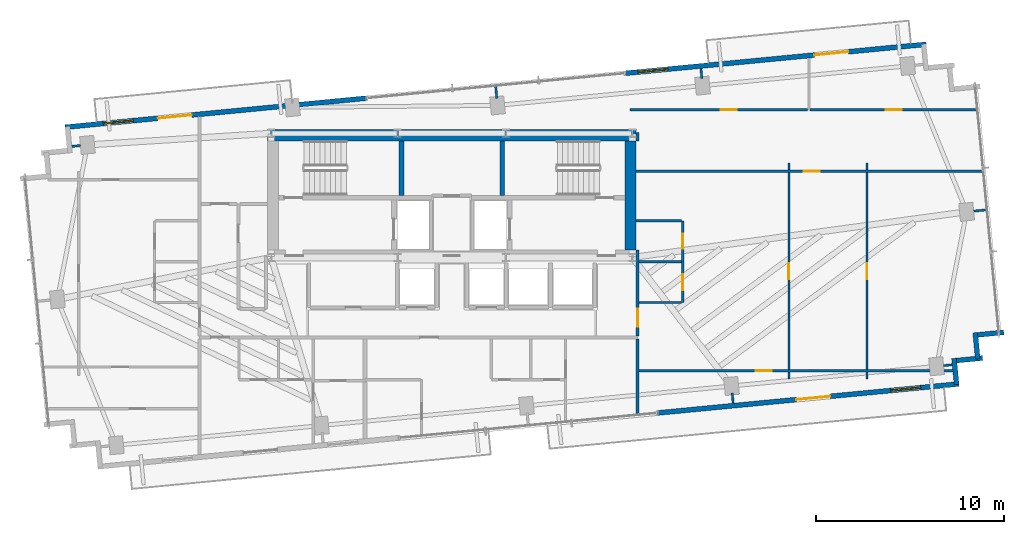
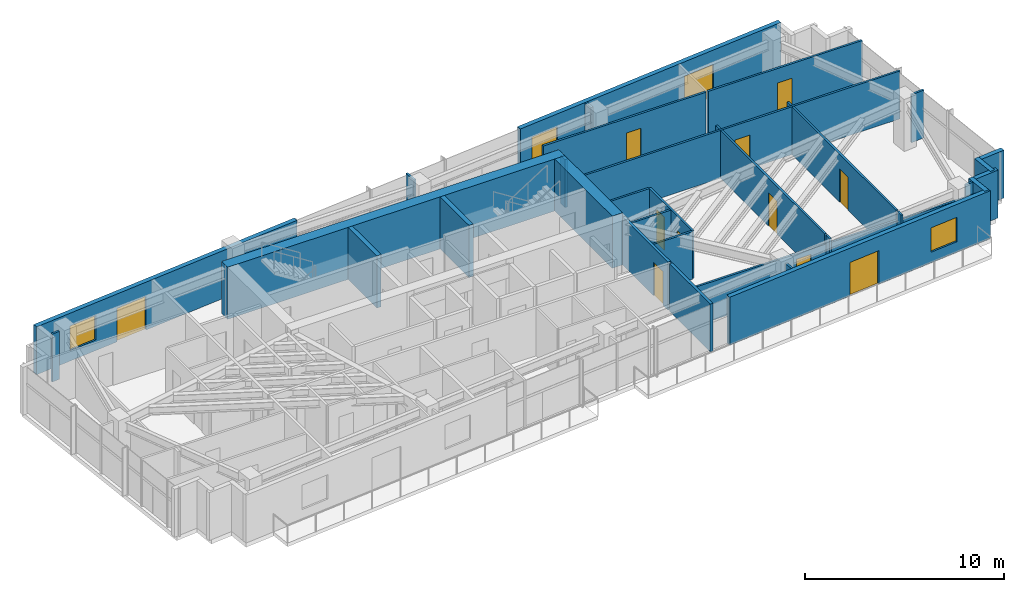
# One storey, part 15 of 18: 34 walls, 12 doors, 3 windows, 15 openings.
"""IFC4 building model written with IfcOpenShell, lengths in metres."""

from ifc_helpers import new_model, si_unit, direction, frame, frame_2d, origin, place, context, subcontext, project, spatial, rectangle, extrude, source, transform, mapped, material, layer, layer_set, type_object, type_shapes, element, fill, save


model = new_model("IFC4")

# Units and contexts
model_context = context("Model", 3, precision=1e-05, world=origin(), true_north=direction((0.0, 1.0)))
body_context = subcontext(model_context, "Body", "Model", "MODEL_VIEW")
ifc_project = project(units=[si_unit("LENGTHUNIT", "METRE"), si_unit("AREAUNIT", "SQUARE_METRE"), si_unit("VOLUMEUNIT", "CUBIC_METRE"), si_unit("PLANEANGLEUNIT", "RADIAN"), si_unit("MASSUNIT", "GRAM", prefix="KILO")], contexts=[model_context])

# Site, building, storey
site_placement = place(None, origin())
site = spatial("IfcSite", under=ifc_project, at=site_placement, CompositionType="ELEMENT")
building_placement = place(site_placement, origin())
building = spatial("IfcBuilding", under=site, at=building_placement, Name="Astriad Promenade Condominiums", CompositionType="ELEMENT")
storey_placement = place(building_placement, frame((0.0, 0.0, 176.199951171875)))
storey = spatial("IfcBuildingStorey", under=building, at=storey_placement, Name="L50", CompositionType="ELEMENT", Elevation=176.199951171875)

# Walls
ifc_material_1 = material(Name="Concrete C50/60", Category="concrete")
ifc_layer_1 = layer(ifc_material_1, 0.60009765625)
ifc_layer_set_1 = layer_set([ifc_layer_1], Name="Concrete C50/60")
wall_type_1 = type_object("IfcWallType", Name="CW-SHEAR-600", PredefinedType="SHEAR", material=ifc_layer_set_1)
wall_1_placement = place(storey_placement, frame((26.199951171875, 23.89990234375, 0.0), z_axis=(0.0, 0.0, 1.0), x_axis=(1.0, 0.0, 0.0)))
element("IfcWall", 1, at=wall_1_placement, inside=storey, type_object=wall_type_1, Name="CW-CORE-N-L50", PredefinedType="SHEAR", context=body_context, shape_type="SweptSolid", body=[
    extrude(rectangle(XDim=19.60009765625, YDim=0.60009765625, at=frame_2d((9.800048828125, 0.0))), origin(), (0.0, 0.0, 1.0), 3.199951171875),
])
wall_2_placement = place(storey_placement, frame((45.5, 17.802001953125, 0.0), z_axis=(0.0, 0.0, 1.0), x_axis=(0.0, 1.0, 0.0)))
element("IfcWall", 2, at=wall_2_placement, inside=storey, type_object=wall_type_1, Name="CW-CORE-E-L50", PredefinedType="SHEAR", context=body_context, shape_type="SweptSolid", body=[
    extrude(rectangle(XDim=5.7958984375, YDim=0.60009765625, at=frame_2d((2.89794921875, 0.0))), origin(), (0.0, 0.0, 1.0), 3.199951171875),
])
ifc_layer_2 = layer(ifc_material_1, 0.25)
ifc_layer_set_2 = layer_set([ifc_layer_2], Name="Concrete C50/60")
wall_type_2 = type_object("IfcWallType", Name="WALL-CORE-INT-250", PredefinedType="SOLIDWALL", material=ifc_layer_set_2)
for number, where, z_axis, x_axis, name in (
    (3, (33.324951171875, 20.701904296875, 0.0), (0.0, 0.0, 1.0), (0.0, 1.0, 0.0), "CW-ST1-E-L50"),
    (4, (38.675048828125, 20.701904296875, 0.0), (0.0, 0.0, 1.0), (0.0, 1.0, 0.0), "CW-ST2-W-L50"),
):
    element("IfcWall", number, at=place(storey_placement, frame(where, z_axis=z_axis, x_axis=x_axis)), inside=storey, type_object=wall_type_2, Name=name, PredefinedType="SOLIDWALL", context=body_context, shape_type="SweptSolid", body=[
        extrude(rectangle(XDim=2.89599609375, YDim=0.25, at=frame_2d((1.447998046875, 0.0))), origin(), (0.0, 0.0, 1.0), 3.199951171875),
    ])
ifc_material_2 = material(Name="Fire-Rated Gypsum Partition")
ifc_layer_3 = layer(ifc_material_2, 0.159912109375)
ifc_layer_set_3 = layer_set([ifc_layer_3], Name="Fire-Rated Gypsum Partition")
wall_type_3 = type_object("IfcWallType", Name="WALL-CORR-160", PredefinedType="PARTITIONING", material=ifc_layer_set_3)
wall_3_placement = place(storey_placement, frame((45.8798828125, 8.98095703125, 0.0), z_axis=(0.0, 0.0, 1.0), x_axis=(0.0, 1.0, 0.0)))
element("IfcWall", 5, at=wall_3_placement, inside=storey, type_object=wall_type_3, Name="PT-COR-E-L50", PredefinedType="PARTITIONING", context=body_context, shape_type="SweptSolid", body=[
    extrude(rectangle(XDim=4.087158203125, YDim=0.159912109375, at=frame_2d((2.04345703125, 0.0))), origin(), (0.0, 0.0, 1.0), 2.93994140625),
])

# Wall, opening, door
wall_4_placement = place(storey_placement, frame((45.8798828125, 13.23193359375, 0.0), z_axis=(0.0, 0.0, 1.0), x_axis=(0.0, 1.0, 0.0)))
wall_4 = element("IfcWall", 6, at=wall_4_placement, inside=storey, type_object=wall_type_3, Name="PT-COR-E-L50-S2", PredefinedType="PARTITIONING", context=body_context, shape_type="SweptSolid", body=[
    extrude(rectangle(XDim=4.570068359375, YDim=0.159912109375, at=frame_2d((2.28515625, 0.0))), origin(), (0.0, 0.0, 1.0), 2.93994140625),
])
opening_1_placement = place(wall_4_placement, frame((0.492919921875, 0.0, 0.0)))
opening_1 = element("IfcOpeningElement", 7, at=opening_1_placement, cuts=wall_4, Name="Opening FD60-APT-095", PredefinedType="OPENING", context=body_context, shape_type="SweptSolid", body=[
    extrude(rectangle(XDim=0.949951171875, YDim=2.06005859375, at=frame_2d((0.47509765625, 1.030029296875))), frame((0.0, 0.08984375, 0.0), z_axis=(0.0, -1.0, 0.0), x_axis=(1.0, 0.0, 0.0)), (0.0, 0.0, 1.0), 0.179931640625),
])
ifc_material_3 = material(Name="Solid-Core Acoustic Timber Residence Entry Door", Category="wood")
door_type_1 = type_object("IfcDoorType", Name="FD60-APT-095", OperationType="NOTDEFINED", PredefinedType="DOOR", material=ifc_material_3)
shared_shape_1 = source(origin(), body_context, "Body", "SweptSolid", [
    extrude(rectangle(XDim=0.949951171875, YDim=2.06005859375, at=frame_2d((0.47509765625, 1.030029296875))), frame((0.0, 0.02490234375, 0.0), z_axis=(0.0, -1.0, 0.0), x_axis=(1.0, 0.0, 0.0)), (0.0, 0.0, 1.0), 0.050048828125),
])
type_shapes(door_type_1, [shared_shape_1])
door_1_placement = place(opening_1_placement, origin())
door_1 = element("IfcDoor", 8, at=door_1_placement, inside=storey, type_object=door_type_1, Name="D-ENT-L50-E1", OperationType="SINGLE_SWING_RIGHT", OverallHeight=2.06005859375, OverallWidth=0.949951171875, PredefinedType="DOOR", context=body_context, shape_type="MappedRepresentation", body=[
    mapped(shared_shape_1, transform((0.0, 0.0, 0.0), scale=1.0)),
])
fill(opening_1, door_1)

# Wall
wall_5_placement = place(storey_placement, frame((45.8798828125, 23.597900390625, 0.0), z_axis=(0.0, 0.0, 1.0), x_axis=(0.0, 1.0, 0.0)))
element("IfcWall", 9, at=wall_5_placement, inside=storey, type_object=wall_type_3, Name="PT-COR-E-L50-S3", PredefinedType="PARTITIONING", context=body_context, shape_type="SweptSolid", body=[
    extrude(rectangle(XDim=0.4521484375, YDim=0.159912109375, at=frame_2d((0.22607421875, 0.0))), origin(), (0.0, 0.0, 1.0), 2.93994140625),
])

# Wall, openings, door, window
ifc_material_4 = material(Name="Precast concrete C50/60", Category="concrete")
ifc_layer_4 = layer(ifc_material_4, 0.260009765625)
ifc_layer_set_4 = layer_set([ifc_layer_4], Name="Precast concrete C50/60")
wall_type_4 = type_object("IfcWallType", Name="WALL-EXT-TWR-260", PredefinedType="STANDARD", material=ifc_layer_set_4)
wall_6_placement = place(storey_placement, frame((15.4365234375, 24.32373046875, 0.0), z_axis=(0.0, 0.0, 1.0), x_axis=(0.995395627913, 0.095851676732, 0.0)))
wall_6 = element("IfcWall", 10, at=wall_6_placement, inside=storey, type_object=wall_type_4, Name="W-EXT-L50-N1", PredefinedType="STANDARD", context=body_context, shape_type="SweptSolid", body=[
    extrude(rectangle(XDim=16.10009765625, YDim=0.260009765625, at=frame_2d((8.050048828125, 0.0))), origin(), (0.0, 0.0, 1.0), 2.93994140625),
])
opening_2_placement = place(wall_6_placement, frame((4.969970703125, 0.0, 0.0)))
opening_2 = element("IfcOpeningElement", 11, at=opening_2_placement, cuts=wall_6, Name="Opening BD-1822-SLD", PredefinedType="OPENING", context=body_context, shape_type="SweptSolid", body=[
    extrude(rectangle(XDim=1.800048828125, YDim=2.06005859375, at=frame_2d((0.89990234375, 1.030029296875))), frame((0.0, 0.139892578125, 0.0), z_axis=(0.0, -1.0, 0.0), x_axis=(1.0, 0.0, 0.0)), (0.0, 0.0, 1.0), 0.280029296875),
])
opening_3_placement = place(wall_6_placement, frame((2.050048828125, 0.0, 0.64990234375)))
opening_3 = element("IfcOpeningElement", 12, at=opening_3_placement, cuts=wall_6, Name="Opening WIN-TWR-1620", PredefinedType="OPENING", context=body_context, shape_type="SweptSolid", body=[
    extrude(rectangle(XDim=1.60009765625, YDim=1.5, at=frame_2d((0.800048828125, 0.75))), frame((0.0, 0.139892578125, 0.0), z_axis=(0.0, -1.0, 0.0), x_axis=(1.0, 0.0, 0.0)), (0.0, 0.0, 1.0), 0.280029296875),
])
ifc_material_5 = material(Name="Thermally Broken Aluminium Sliding Balcony Door", Category="aluminium")
door_type_2 = type_object("IfcDoorType", Name="BD-1822-SLD", OperationType="NOTDEFINED", PredefinedType="DOOR", material=ifc_material_5)
shared_shape_2 = source(origin(), body_context, "Body", "SweptSolid", [
    extrude(rectangle(XDim=1.800048828125, YDim=2.06005859375, at=frame_2d((0.89990234375, 1.030029296875))), frame((0.0, 0.02490234375, 0.0), z_axis=(0.0, -1.0, 0.0), x_axis=(1.0, 0.0, 0.0)), (0.0, 0.0, 1.0), 0.050048828125),
])
type_shapes(door_type_2, [shared_shape_2])
door_2_placement = place(opening_2_placement, origin())
door_2 = element("IfcDoor", 13, at=door_2_placement, inside=storey, type_object=door_type_2, Name="BD-L50-NW", OperationType="SLIDING_TO_LEFT", OverallHeight=2.06005859375, OverallWidth=1.800048828125, PredefinedType="DOOR", context=body_context, shape_type="MappedRepresentation", body=[
    mapped(shared_shape_2, transform((0.0, 0.0, 0.0), scale=1.0)),
])
fill(opening_2, door_2)
ifc_material_6 = material(Name="Dark Tinted Triple-Glazed Aluminium Window", Category="aluminium")
window_type = type_object("IfcWindowType", Name="WIN-TWR-1620", PartitioningType="SINGLE_PANEL", PredefinedType="WINDOW", material=ifc_material_6)
shared_shape_3 = source(origin(), body_context, "Body", "SweptSolid", [
    extrude(rectangle(XDim=1.60009765625, YDim=1.5, at=frame_2d((0.800048828125, 0.75))), frame((0.0, 0.030029296875, 0.0), z_axis=(0.0, -1.0, 0.0), x_axis=(1.0, 0.0, 0.0)), (0.0, 0.0, 1.0), 0.06005859375),
])
type_shapes(window_type, [shared_shape_3])
window_1_placement = place(opening_3_placement, origin())
window_1 = element("IfcWindow", 14, at=window_1_placement, inside=storey, type_object=window_type, Name="WIN-L50-NW", OverallHeight=1.5, OverallWidth=1.60009765625, PartitioningType="SINGLE_PANEL", PredefinedType="WINDOW", context=body_context, shape_type="MappedRepresentation", body=[
    mapped(shared_shape_3, transform((0.0, 0.0, 0.0), scale=1.0)),
])
fill(opening_3, window_1)

wall_7_placement = place(storey_placement, frame((45.198974609375, 27.189697265625, 0.0), z_axis=(0.0, 0.0, 1.0), x_axis=(0.995397074604, 0.095836652014, 0.0)))
wall_7 = element("IfcWall", 15, at=wall_7_placement, inside=storey, type_object=wall_type_4, Name="W-EXT-L50-N2", PredefinedType="STANDARD", context=body_context, shape_type="SweptSolid", body=[
    extrude(rectangle(XDim=16.10009765625, YDim=0.260009765625, at=frame_2d((8.050048828125, 0.0))), origin(), (0.0, 0.0, 1.0), 2.93994140625),
])
opening_4_placement = place(wall_7_placement, frame((10.1298828125, 0.0, 0.0)))
opening_4 = element("IfcOpeningElement", 16, at=opening_4_placement, cuts=wall_7, Name="Opening BD-1822-SLD", PredefinedType="OPENING", context=body_context, shape_type="SweptSolid", body=[
    extrude(rectangle(XDim=1.800048828125, YDim=2.06005859375, at=frame_2d((0.89990234375, 1.030029296875))), frame((0.0, 0.139892578125, 0.0), z_axis=(0.0, -1.0, 0.0), x_axis=(1.0, 0.0, 0.0)), (0.0, 0.0, 1.0), 0.280029296875),
])
opening_5_placement = place(wall_7_placement, frame((0.699951171875, 0.0, 0.64990234375)))
opening_5 = element("IfcOpeningElement", 17, at=opening_5_placement, cuts=wall_7, Name="Opening WIN-TWR-1620", PredefinedType="OPENING", context=body_context, shape_type="SweptSolid", body=[
    extrude(rectangle(XDim=1.60009765625, YDim=1.5, at=frame_2d((0.800048828125, 0.75))), frame((0.0, 0.139892578125, 0.0), z_axis=(0.0, -1.0, 0.0), x_axis=(1.0, 0.0, 0.0)), (0.0, 0.0, 1.0), 0.280029296875),
])
door_3_placement = place(opening_4_placement, origin())
door_3 = element("IfcDoor", 18, at=door_3_placement, inside=storey, type_object=door_type_2, Name="BD-L50-NE", OperationType="SLIDING_TO_RIGHT", OverallHeight=2.06005859375, OverallWidth=1.800048828125, PredefinedType="DOOR", context=body_context, shape_type="MappedRepresentation", body=[
    mapped(shared_shape_2, transform((0.0, 0.0, 0.0), scale=1.0)),
])
fill(opening_4, door_3)
window_2_placement = place(opening_5_placement, origin())
window_2 = element("IfcWindow", 19, at=window_2_placement, inside=storey, type_object=window_type, Name="WIN-L50-NE", OverallHeight=1.5, OverallWidth=1.60009765625, PartitioningType="SINGLE_PANEL", PredefinedType="WINDOW", context=body_context, shape_type="MappedRepresentation", body=[
    mapped(shared_shape_3, transform((0.0, 0.0, 0.0), scale=1.0)),
])
fill(opening_5, window_2)

# Walls
wall_8_placement = place(storey_placement, frame((65.341796875, 13.416748046875, 0.0), z_axis=(0.0, 0.0, 1.0), x_axis=(-0.99540774648, -0.095725744959, 0.0)))
element("IfcWall", 20, at=wall_8_placement, inside=storey, type_object=wall_type_4, Name="W-SER-L50-14", PredefinedType="STANDARD", context=body_context, shape_type="SweptSolid", body=[
    extrude(rectangle(XDim=1.39501953125, YDim=0.260009765625, at=frame_2d((0.697509765625, 0.0))), origin(), (0.0, 0.0, 1.0), 2.93994140625),
])
wall_9_placement = place(storey_placement, frame((63.826171875, 13.4013671875, 0.0), z_axis=(0.0, 0.0, 1.0), x_axis=(0.095915846097, -0.995389446633, 0.0)))
element("IfcWall", 21, at=wall_9_placement, inside=storey, type_object=wall_type_4, Name="W-SER-L50-15", PredefinedType="STANDARD", context=body_context, shape_type="SweptSolid", body=[
    extrude(rectangle(XDim=1.394775390625, YDim=0.260009765625, at=frame_2d((0.697265625, 0.0))), origin(), (0.0, 0.0, 1.0), 2.93994140625),
])
for number, where, z_axis, x_axis, name in (
    (22, (64.21728515625, 12.052734375, 0.0), (0.0, 0.0, 1.0), (-0.99540774648, -0.095725744959, 0.0), "W-SER-L50-16"),
    (23, (62.701904296875, 12.037353515625, 0.0), (0.0, 0.0, 1.0), (0.095725744959, -0.99540774648, 0.0), "W-SER-L50-17"),
):
    element("IfcWall", number, at=place(storey_placement, frame(where, z_axis=z_axis, x_axis=x_axis)), inside=storey, type_object=wall_type_4, Name=name, PredefinedType="STANDARD", context=body_context, shape_type="SweptSolid", body=[
        extrude(rectangle(XDim=1.39501953125, YDim=0.260009765625, at=frame_2d((0.697509765625, 0.0))), origin(), (0.0, 0.0, 1.0), 2.93994140625),
    ])

# Wall, openings, door, window
wall_10_placement = place(storey_placement, frame((62.96337890625, 10.67626953125, 0.0), z_axis=(0.0, 0.0, 1.0), x_axis=(-0.995395627913, -0.095851676732, 0.0)))
wall_10 = element("IfcWall", 24, at=wall_10_placement, inside=storey, type_object=wall_type_4, Name="W-EXT-L50-S1", PredefinedType="STANDARD", context=body_context, shape_type="SweptSolid", body=[
    extrude(rectangle(XDim=16.10009765625, YDim=0.260009765625, at=frame_2d((8.050048828125, 0.0))), origin(), (0.0, 0.0, 1.0), 2.93994140625),
])
opening_6_placement = place(wall_10_placement, frame((6.883056640625, 0.0, 0.0)))
opening_6 = element("IfcOpeningElement", 25, at=opening_6_placement, cuts=wall_10, Name="Opening BD-1822-SLD", PredefinedType="OPENING", context=body_context, shape_type="SweptSolid", body=[
    extrude(rectangle(XDim=1.800048828125, YDim=2.06005859375, at=frame_2d((0.89990234375, 1.030029296875))), frame((0.0, 0.139892578125, 0.0), z_axis=(0.0, -1.0, 0.0), x_axis=(1.0, 0.0, 0.0)), (0.0, 0.0, 1.0), 0.280029296875),
])
opening_7_placement = place(wall_10_placement, frame((2.050048828125, 0.0, 0.64990234375)))
opening_7 = element("IfcOpeningElement", 26, at=opening_7_placement, cuts=wall_10, Name="Opening WIN-TWR-1620", PredefinedType="OPENING", context=body_context, shape_type="SweptSolid", body=[
    extrude(rectangle(XDim=1.60009765625, YDim=1.5, at=frame_2d((0.800048828125, 0.75))), frame((0.0, 0.139892578125, 0.0), z_axis=(0.0, -1.0, 0.0), x_axis=(1.0, 0.0, 0.0)), (0.0, 0.0, 1.0), 0.280029296875),
])
door_4_placement = place(opening_6_placement, origin())
door_4 = element("IfcDoor", 27, at=door_4_placement, inside=storey, type_object=door_type_2, Name="BD-L50-SE", OperationType="SLIDING_TO_RIGHT", OverallHeight=2.06005859375, OverallWidth=1.800048828125, PredefinedType="DOOR", context=body_context, shape_type="MappedRepresentation", body=[
    mapped(shared_shape_2, transform((0.0, 0.0, 0.0), scale=1.0)),
])
fill(opening_6, door_4)
window_3_placement = place(opening_7_placement, origin())
window_3 = element("IfcWindow", 28, at=window_3_placement, inside=storey, type_object=window_type, Name="WIN-L50-SE", OverallHeight=1.5, OverallWidth=1.60009765625, PartitioningType="SINGLE_PANEL", PredefinedType="WINDOW", context=body_context, shape_type="MappedRepresentation", body=[
    mapped(shared_shape_3, transform((0.0, 0.0, 0.0), scale=1.0)),
])
fill(opening_7, window_3)

# Wall, openings, doors
ifc_material_7 = material(Name="Acoustic Metal-Stud Gypsum Partition")
ifc_layer_5 = layer(ifc_material_7, 0.1201171875)
ifc_layer_set_5 = layer_set([ifc_layer_5], Name="Acoustic Metal-Stud Gypsum Partition")
wall_type_5 = type_object("IfcWallType", Name="WALL-PART-120", PredefinedType="PARTITIONING", material=ifc_layer_set_5)
wall_11_placement = place(storey_placement, frame((48.280029296875, 15.0, 0.0), z_axis=(0.0, 0.0, 1.0), x_axis=(0.0, 1.0, 0.0)))
wall_11 = element("IfcWall", 29, at=wall_11_placement, inside=storey, type_object=wall_type_5, Name="PT-L50-E1-PV", PredefinedType="PARTITIONING", context=body_context, shape_type="SweptSolid", body=[
    extrude(rectangle(XDim=4.35009765625, YDim=0.1201171875, at=frame_2d((2.175048828125, 0.0))), origin(), (0.0, 0.0, 1.0), 2.93994140625),
])
opening_8_placement = place(wall_11_placement, frame((0.662109375, 0.0, 0.0)))
opening_8 = element("IfcOpeningElement", 30, at=opening_8_placement, cuts=wall_11, Name="Opening D-INT-085", PredefinedType="OPENING", context=body_context, shape_type="SweptSolid", body=[
    extrude(rectangle(XDim=0.85009765625, YDim=2.050048828125, at=frame_2d((0.425048828125, 1.02490234375))), frame((0.0, 0.070068359375, 0.0), z_axis=(0.0, -1.0, 0.0), x_axis=(1.0, 0.0, 0.0)), (0.0, 0.0, 1.0), 0.14013671875),
])
opening_9_placement = place(wall_11_placement, frame((2.863037109375, 0.0, 0.0)))
opening_9 = element("IfcOpeningElement", 31, at=opening_9_placement, cuts=wall_11, Name="Opening D-WET-080", PredefinedType="OPENING", context=body_context, shape_type="SweptSolid", body=[
    extrude(rectangle(XDim=0.800048828125, YDim=2.02001953125, at=frame_2d((0.39990234375, 1.010009765625))), frame((0.0, 0.070068359375, 0.0), z_axis=(0.0, -1.0, 0.0), x_axis=(1.0, 0.0, 0.0)), (0.0, 0.0, 1.0), 0.14013671875),
])
ifc_material_8 = material(Name="Moisture-Resistant Timber Bathroom Door", Category="wood")
door_type_3 = type_object("IfcDoorType", Name="D-WET-080", OperationType="NOTDEFINED", PredefinedType="DOOR", material=ifc_material_8)
shared_shape_4 = source(origin(), body_context, "Body", "SweptSolid", [
    extrude(rectangle(XDim=0.800048828125, YDim=2.02001953125, at=frame_2d((0.39990234375, 1.010009765625))), frame((0.0, 0.02490234375, 0.0), z_axis=(0.0, -1.0, 0.0), x_axis=(1.0, 0.0, 0.0)), (0.0, 0.0, 1.0), 0.050048828125),
])
type_shapes(door_type_3, [shared_shape_4])
door_5_placement = place(opening_9_placement, origin())
door_5 = element("IfcDoor", 32, at=door_5_placement, inside=storey, type_object=door_type_3, Name="D-BTH-L50-E1", OperationType="SINGLE_SWING_RIGHT", OverallHeight=2.02001953125, OverallWidth=0.800048828125, PredefinedType="DOOR", context=body_context, shape_type="MappedRepresentation", body=[
    mapped(shared_shape_4, transform((0.0, 0.0, 0.0), scale=1.0)),
])
fill(opening_9, door_5)
ifc_material_9 = material(Name="Painted Solid-Core Timber Room Door", Category="wood")
door_type_4 = type_object("IfcDoorType", Name="D-INT-085", OperationType="NOTDEFINED", PredefinedType="DOOR", material=ifc_material_9)
shared_shape_5 = source(origin(), body_context, "Body", "SweptSolid", [
    extrude(rectangle(XDim=0.85009765625, YDim=2.050048828125, at=frame_2d((0.425048828125, 1.02490234375))), frame((0.0, 0.02490234375, 0.0), z_axis=(0.0, -1.0, 0.0), x_axis=(1.0, 0.0, 0.0)), (0.0, 0.0, 1.0), 0.050048828125),
])
type_shapes(door_type_4, [shared_shape_5])
door_6_placement = place(opening_8_placement, origin())
door_6 = element("IfcDoor", 33, at=door_6_placement, inside=storey, type_object=door_type_4, Name="D-KIT-L50-E1", OperationType="SINGLE_SWING_LEFT", OverallHeight=2.050048828125, OverallWidth=0.85009765625, PredefinedType="DOOR", context=body_context, shape_type="MappedRepresentation", body=[
    mapped(shared_shape_5, transform((0.0, 0.0, 0.0), scale=1.0)),
])
fill(opening_8, door_6)

# Walls
for number, where, z_axis, x_axis, name in (
    (34, (45.9619140625, 17.175048828125, 0.0), (0.0, 0.0, 1.0), (1.0, 0.0, 0.0), "PT-L50-E1-PM"),
    (35, (45.9619140625, 15.0, 0.0), (0.0, 0.0, 1.0), (1.0, 0.0, 0.0), "PT-L50-E1-PS"),
):
    element("IfcWall", number, at=place(storey_placement, frame(where, z_axis=z_axis, x_axis=x_axis)), inside=storey, type_object=wall_type_5, Name=name, PredefinedType="PARTITIONING", context=body_context, shape_type="SweptSolid", body=[
        extrude(rectangle(XDim=2.256103515625, YDim=0.1201171875, at=frame_2d((1.1279296875, 0.0))), origin(), (0.0, 0.0, 1.0), 2.93994140625),
    ])
wall_12_placement = place(storey_placement, frame((45.802001953125, 19.35009765625, 0.0), z_axis=(0.0, 0.0, 1.0), x_axis=(1.0, 0.0, 0.0)))
element("IfcWall", 36, at=wall_12_placement, inside=storey, type_object=wall_type_5, Name="PT-L50-E1-PN", PredefinedType="PARTITIONING", context=body_context, shape_type="SweptSolid", body=[
    extrude(rectangle(XDim=2.416015625, YDim=0.1201171875, at=frame_2d((1.2080078125, 0.0))), origin(), (0.0, 0.0, 1.0), 2.93994140625),
])

# Wall, opening, door
wall_13_placement = place(storey_placement, frame((45.4599609375, 25.2470703125, 0.0), z_axis=(0.0, 0.0, 1.0), x_axis=(1.0, 0.0, 0.0)))
wall_13 = element("IfcWall", 37, at=wall_13_placement, inside=storey, type_object=wall_type_5, Name="PT-L50-E1-B1", PredefinedType="PARTITIONING", context=body_context, shape_type="SweptSolid", body=[
    extrude(rectangle(XDim=9.4609375, YDim=0.1201171875, at=frame_2d((4.73046875, 0.0))), origin(), (0.0, 0.0, 1.0), 2.93994140625),
])
opening_10_placement = place(wall_13_placement, frame((4.825927734375, 0.0, 0.0)))
opening_10 = element("IfcOpeningElement", 38, at=opening_10_placement, cuts=wall_13, Name="Opening D-INT-085", PredefinedType="OPENING", context=body_context, shape_type="SweptSolid", body=[
    extrude(rectangle(XDim=0.85009765625, YDim=2.050048828125, at=frame_2d((0.425048828125, 1.02490234375))), frame((0.0, 0.070068359375, 0.0), z_axis=(0.0, -1.0, 0.0), x_axis=(1.0, 0.0, 0.0)), (0.0, 0.0, 1.0), 0.14013671875),
])
door_7_placement = place(opening_10_placement, origin())
door_7 = element("IfcDoor", 39, at=door_7_placement, inside=storey, type_object=door_type_4, Name="D-BD1-L50-E1", OperationType="SINGLE_SWING_LEFT", OverallHeight=2.050048828125, OverallWidth=0.85009765625, PredefinedType="DOOR", context=body_context, shape_type="MappedRepresentation", body=[
    mapped(shared_shape_5, transform((0.0, 0.0, 0.0), scale=1.0)),
])
fill(opening_10, door_7)

wall_14_placement = place(storey_placement, frame((55.044921875, 25.2470703125, 0.0), z_axis=(0.0, 0.0, 1.0), x_axis=(1.0, 0.0, 0.0)))
wall_14 = element("IfcWall", 40, at=wall_14_placement, inside=storey, type_object=wall_type_5, Name="PT-L50-E1-B1-S2", PredefinedType="PARTITIONING", context=body_context, shape_type="SweptSolid", body=[
    extrude(rectangle(XDim=8.94677734375, YDim=0.1201171875, at=frame_2d((4.473388671875, 0.0))), origin(), (0.0, 0.0, 1.0), 2.93994140625),
])
opening_11_placement = place(wall_14_placement, frame((4.02392578125, 0.0, 0.0)))
opening_11 = element("IfcOpeningElement", 41, at=opening_11_placement, cuts=wall_14, Name="Opening D-INT-085", PredefinedType="OPENING", context=body_context, shape_type="SweptSolid", body=[
    extrude(rectangle(XDim=0.85009765625, YDim=2.050048828125, at=frame_2d((0.425048828125, 1.02490234375))), frame((0.0, 0.070068359375, 0.0), z_axis=(0.0, -1.0, 0.0), x_axis=(1.0, 0.0, 0.0)), (0.0, 0.0, 1.0), 0.14013671875),
])
door_8_placement = place(opening_11_placement, origin())
door_8 = element("IfcDoor", 42, at=door_8_placement, inside=storey, type_object=door_type_4, Name="D-BD1B-L50-E1", OperationType="SINGLE_SWING_RIGHT", OverallHeight=2.050048828125, OverallWidth=0.85009765625, PredefinedType="DOOR", context=body_context, shape_type="MappedRepresentation", body=[
    mapped(shared_shape_5, transform((0.0, 0.0, 0.0), scale=1.0)),
])
fill(opening_11, door_8)

wall_15_placement = place(storey_placement, frame((45.802001953125, 21.97705078125, 0.0), z_axis=(0.0, 0.0, 1.0), x_axis=(1.0, 0.0, 0.0)))
wall_15 = element("IfcWall", 43, at=wall_15_placement, inside=storey, type_object=wall_type_5, Name="PT-L50-E1-WDN1", PredefinedType="PARTITIONING", context=body_context, shape_type="SweptSolid", body=[
    extrude(rectangle(XDim=18.50439453125, YDim=0.1201171875, at=frame_2d((9.252197265625, 0.0))), origin(), (0.0, 0.0, 1.0), 2.93994140625),
])
opening_12_placement = place(wall_15_placement, frame((8.9130859375, 0.0, 0.0)))
opening_12 = element("IfcOpeningElement", 44, at=opening_12_placement, cuts=wall_15, Name="Opening D-INT-085", PredefinedType="OPENING", context=body_context, shape_type="SweptSolid", body=[
    extrude(rectangle(XDim=0.85009765625, YDim=2.050048828125, at=frame_2d((0.425048828125, 1.02490234375))), frame((0.0, 0.070068359375, 0.0), z_axis=(0.0, -1.0, 0.0), x_axis=(1.0, 0.0, 0.0)), (0.0, 0.0, 1.0), 0.14013671875),
])
door_9_placement = place(opening_12_placement, origin())
door_9 = element("IfcDoor", 45, at=door_9_placement, inside=storey, type_object=door_type_4, Name="D-WDN1-L50-E1", OperationType="SINGLE_SWING_LEFT", OverallHeight=2.050048828125, OverallWidth=0.85009765625, PredefinedType="DOOR", context=body_context, shape_type="MappedRepresentation", body=[
    mapped(shared_shape_5, transform((0.0, 0.0, 0.0), scale=1.0)),
])
fill(opening_12, door_9)

wall_16_placement = place(storey_placement, frame((45.9619140625, 11.3779296875, 0.0), z_axis=(0.0, 0.0, 1.0), x_axis=(1.0, 0.0, 0.0)))
wall_16 = element("IfcWall", 46, at=wall_16_placement, inside=storey, type_object=wall_type_5, Name="PT-L50-E1-WDS2", PredefinedType="PARTITIONING", context=body_context, shape_type="SweptSolid", body=[
    extrude(rectangle(XDim=16.6708984375, YDim=0.1201171875, at=frame_2d((8.33544921875, 0.0))), origin(), (0.0, 0.0, 1.0), 2.382568359375),
])
opening_13_placement = place(wall_16_placement, frame((6.18603515625, 0.0, 0.0)))
opening_13 = element("IfcOpeningElement", 47, at=opening_13_placement, cuts=wall_16, Name="Opening D-INT-085", PredefinedType="OPENING", context=body_context, shape_type="SweptSolid", body=[
    extrude(rectangle(XDim=0.85009765625, YDim=2.050048828125, at=frame_2d((0.425048828125, 1.02490234375))), frame((0.0, 0.070068359375, 0.0), z_axis=(0.0, -1.0, 0.0), x_axis=(1.0, 0.0, 0.0)), (0.0, 0.0, 1.0), 0.14013671875),
])
door_10_placement = place(opening_13_placement, origin())
door_10 = element("IfcDoor", 48, at=door_10_placement, inside=storey, type_object=door_type_4, Name="D-WDS2-L50-E1", OperationType="SINGLE_SWING_RIGHT", OverallHeight=2.050048828125, OverallWidth=0.85009765625, PredefinedType="DOOR", context=body_context, shape_type="MappedRepresentation", body=[
    mapped(shared_shape_5, transform((0.0, 0.0, 0.0), scale=1.0)),
])
fill(opening_13, door_10)

# Wall
wall_17_placement = place(storey_placement, frame((58.070068359375, 10.93798828125, 0.0), z_axis=(0.0, 0.0, 1.0), x_axis=(0.0, 1.0, 0.0)))
element("IfcWall", 49, at=wall_17_placement, inside=storey, type_object=wall_type_5, Name="PT-L50-E1-WDV3", PredefinedType="PARTITIONING", context=body_context, shape_type="SweptSolid", body=[
    extrude(rectangle(XDim=0.3779296875, YDim=0.1201171875, at=frame_2d((0.18896484375, 0.0))), origin(), (0.0, 0.0, 1.0), 2.93994140625),
])

# Wall, opening, door
wall_18_placement = place(storey_placement, frame((58.070068359375, 11.43994140625, 0.0), z_axis=(0.0, 0.0, 1.0), x_axis=(0.0, 1.0, 0.0)))
wall_18 = element("IfcWall", 50, at=wall_18_placement, inside=storey, type_object=wall_type_5, Name="PT-L50-E1-WDV3-S2", PredefinedType="PARTITIONING", context=body_context, shape_type="SweptSolid", body=[
    extrude(rectangle(XDim=10.47509765625, YDim=0.1201171875, at=frame_2d((5.237548828125, 0.0))), origin(), (0.0, 0.0, 1.0), 2.93994140625),
])
opening_14_placement = place(wall_18_placement, frame((4.81201171875, 0.0, 0.0)))
opening_14 = element("IfcOpeningElement", 51, at=opening_14_placement, cuts=wall_18, Name="Opening D-INT-085", PredefinedType="OPENING", context=body_context, shape_type="SweptSolid", body=[
    extrude(rectangle(XDim=0.85009765625, YDim=2.050048828125, at=frame_2d((0.425048828125, 1.02490234375))), frame((0.0, 0.070068359375, 0.0), z_axis=(0.0, -1.0, 0.0), x_axis=(1.0, 0.0, 0.0)), (0.0, 0.0, 1.0), 0.14013671875),
])
door_11_placement = place(opening_14_placement, origin())
door_11 = element("IfcDoor", 52, at=door_11_placement, inside=storey, type_object=door_type_4, Name="D-WDV3-L50-E1", OperationType="SINGLE_SWING_LEFT", OverallHeight=2.050048828125, OverallWidth=0.85009765625, PredefinedType="DOOR", context=body_context, shape_type="MappedRepresentation", body=[
    mapped(shared_shape_5, transform((0.0, 0.0, 0.0), scale=1.0)),
])
fill(opening_14, door_11)

# Walls
for number, where, z_axis, x_axis, name in (
    (53, (58.070068359375, 22.0390625, 0.0), (0.0, 0.0, 1.0), (0.0, 1.0, 0.0), "PT-L50-E1-WDV3-S3"),
    (54, (53.923095703125, 10.93798828125, 0.0), (0.0, 0.0, 1.0), (0.0, 1.0, 0.0), "PT-L50-E1-WDV4"),
):
    element("IfcWall", number, at=place(storey_placement, frame(where, z_axis=z_axis, x_axis=x_axis)), inside=storey, type_object=wall_type_5, Name=name, PredefinedType="PARTITIONING", context=body_context, shape_type="SweptSolid", body=[
        extrude(rectangle(XDim=0.3779296875, YDim=0.1201171875, at=frame_2d((0.18896484375, 0.0))), origin(), (0.0, 0.0, 1.0), 2.93994140625),
    ])

# Wall, opening, door
wall_19_placement = place(storey_placement, frame((53.923095703125, 11.43994140625, 0.0), z_axis=(0.0, 0.0, 1.0), x_axis=(0.0, 1.0, 0.0)))
wall_19 = element("IfcWall", 55, at=wall_19_placement, inside=storey, type_object=wall_type_5, Name="PT-L50-E1-WDV4-S2", PredefinedType="PARTITIONING", context=body_context, shape_type="SweptSolid", body=[
    extrude(rectangle(XDim=10.47509765625, YDim=0.1201171875, at=frame_2d((5.237548828125, 0.0))), origin(), (0.0, 0.0, 1.0), 2.93994140625),
])
opening_15_placement = place(wall_19_placement, frame((4.81201171875, 0.0, 0.0)))
opening_15 = element("IfcOpeningElement", 56, at=opening_15_placement, cuts=wall_19, Name="Opening D-INT-085", PredefinedType="OPENING", context=body_context, shape_type="SweptSolid", body=[
    extrude(rectangle(XDim=0.85009765625, YDim=2.050048828125, at=frame_2d((0.425048828125, 1.02490234375))), frame((0.0, 0.070068359375, 0.0), z_axis=(0.0, -1.0, 0.0), x_axis=(1.0, 0.0, 0.0)), (0.0, 0.0, 1.0), 0.14013671875),
])
door_12_placement = place(opening_15_placement, origin())
door_12 = element("IfcDoor", 57, at=door_12_placement, inside=storey, type_object=door_type_4, Name="D-WDV4-L50-E1", OperationType="SINGLE_SWING_RIGHT", OverallHeight=2.050048828125, OverallWidth=0.85009765625, PredefinedType="DOOR", context=body_context, shape_type="MappedRepresentation", body=[
    mapped(shared_shape_5, transform((0.0, 0.0, 0.0), scale=1.0)),
])
fill(opening_15, door_12)

# Walls
wall_20_placement = place(storey_placement, frame((53.923095703125, 22.0390625, 0.0), z_axis=(0.0, 0.0, 1.0), x_axis=(0.0, 1.0, 0.0)))
element("IfcWall", 58, at=wall_20_placement, inside=storey, type_object=wall_type_5, Name="PT-L50-E1-WDV4-S3", PredefinedType="PARTITIONING", context=body_context, shape_type="SweptSolid", body=[
    extrude(rectangle(XDim=0.3779296875, YDim=0.1201171875, at=frame_2d((0.18896484375, 0.0))), origin(), (0.0, 0.0, 1.0), 2.93994140625),
])
wall_21_placement = place(storey_placement, frame((50.90478515625, 10.18798828125, 0.0), z_axis=(0.0, 0.0, 1.0), x_axis=(0.095772948675, -0.995403205893, 0.0)))
element("IfcWall", 59, at=wall_21_placement, inside=storey, type_object=wall_type_5, Name="PT-PIL-L50-PC04-11", PredefinedType="PARTITIONING", context=body_context, shape_type="SweptSolid", body=[
    extrude(rectangle(XDim=0.537841796875, YDim=0.1201171875, at=frame_2d((0.26904296875, 0.0))), origin(), (0.0, 0.0, 1.0), 2.93994140625),
])
for number, where, z_axis, x_axis, name in (
    (60, (62.146240234375, 11.65234375, 0.0), (0.0, 0.0, 1.0), (0.995384576284, 0.09596637586, 0.0), "PT-PIL-L50-PC05-12"),
    (61, (16.25390625, 23.34765625, 0.0), (0.0, 0.0, 1.0), (-0.995384576284, -0.09596637586, 0.0), "PT-PIL-L50-PC06-13"),
):
    element("IfcWall", number, at=place(storey_placement, frame(where, z_axis=z_axis, x_axis=x_axis)), inside=storey, type_object=wall_type_5, Name=name, PredefinedType="PARTITIONING", context=body_context, shape_type="SweptSolid", body=[
        extrude(rectangle(XDim=0.4580078125, YDim=0.1201171875, at=frame_2d((0.22900390625, 0.0))), origin(), (0.0, 0.0, 1.0), 2.93994140625),
    ])
wall_22_placement = place(storey_placement, frame((38.39501953125, 25.861328125, 0.0), z_axis=(0.0, 0.0, 1.0), x_axis=(-0.095977354523, 0.995383517755, 0.0)))
element("IfcWall", 62, at=wall_22_placement, inside=storey, type_object=wall_type_5, Name="PT-PIL-L50-PC08-15", PredefinedType="PARTITIONING", context=body_context, shape_type="SweptSolid", body=[
    extrude(rectangle(XDim=0.719970703125, YDim=0.1201171875, at=frame_2d((0.35986328125, 0.0))), origin(), (0.0, 0.0, 1.0), 2.93994140625),
])
wall_23_placement = place(storey_placement, frame((49.29443359375, 26.910888671875, 0.0), z_axis=(0.0, 0.0, 1.0), x_axis=(-0.095772948675, 0.995403205893, 0.0)))
element("IfcWall", 63, at=wall_23_placement, inside=storey, type_object=wall_type_5, Name="PT-PIL-L50-PC09-16", PredefinedType="PARTITIONING", context=body_context, shape_type="SweptSolid", body=[
    extrude(rectangle(XDim=0.537841796875, YDim=0.1201171875, at=frame_2d((0.26904296875, 0.0))), origin(), (0.0, 0.0, 1.0), 2.93994140625),
])
wall_24_placement = place(storey_placement, frame((63.74658203125, 19.863525390625, 0.0), z_axis=(0.0, 0.0, 1.0), x_axis=(0.995405496295, 0.095749140702, 0.0)))
element("IfcWall", 64, at=wall_24_placement, inside=storey, type_object=wall_type_5, Name="PT-PIL-L50-PC12-19", PredefinedType="PARTITIONING", context=body_context, shape_type="SweptSolid", body=[
    extrude(rectangle(XDim=0.759765625, YDim=0.1201171875, at=frame_2d((0.3798828125, 0.0))), origin(), (0.0, 0.0, 1.0), 2.93994140625),
])

save(model, "model.ifc")
